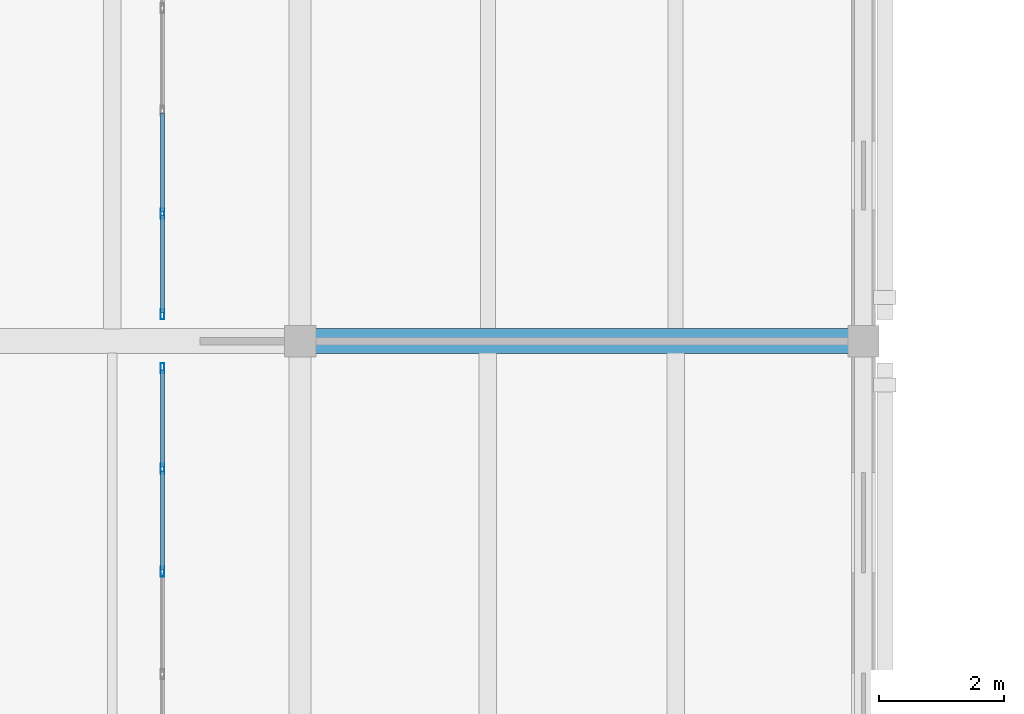
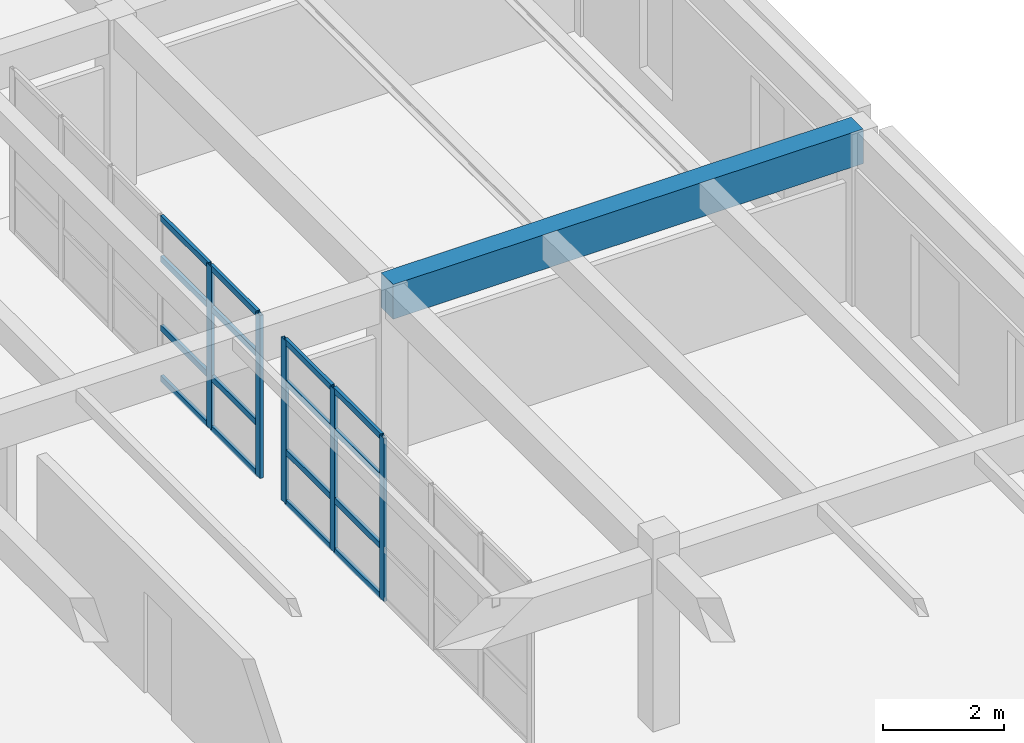
# One storey, part 9 of 156: 21 members, 1 beam, 2 elements without a shape of their own.
"""IFC4 building model written with IfcOpenShell, lengths in metres."""

import ifcopenshell
import ifcopenshell.guid

model = None  # the IFC model being written
_history = None  # IfcOwnerHistory: only IFC2X3 demands one
_inside = {}  # id of a spatial element -> (the spatial element, [elements in it])
_under = {}  # id of a project, library or spatial element -> (it, [spatial elements below it])
_declared = {}  # id of a project -> (the project, [libraries it declares])
_typed = {}  # id of a type object -> (the type object, [elements of that type])
_made_of = {}  # id of a material, layer set ... -> (it, [elements and type objects made of it])


def new_model(schema):
    """Start an empty IFC model of exactly this schema.

    Asked for "IFC4X3", IfcOpenShell would pick the latest addendum, in which some entities
    have other attributes; the version numbers below select the first issue.
    IFC2X3 requires an IfcOwnerHistory on every rooted entity: one is made here for all.
    """
    global model, _history
    if schema == "IFC4X3":
        model = ifcopenshell.file(schema_version=(4, 3, 0, 0))
    else:
        model = ifcopenshell.file(schema=schema)
    _inside.clear()
    _under.clear()
    _declared.clear()
    _typed.clear()
    _made_of.clear()
    _history = None
    if model.schema == "IFC2X3":
        org = make("IfcOrganization", Name="unknown")
        user = make(
            "IfcPersonAndOrganization",
            ThePerson=make("IfcPerson", FamilyName="unknown"),
            TheOrganization=org,
        )
        app = make(
            "IfcApplication",
            ApplicationDeveloper=org,
            Version="unknown",
            ApplicationFullName="unknown",
            ApplicationIdentifier="unknown",
        )
        _history = make(
            "IfcOwnerHistory",
            OwningUser=user,
            OwningApplication=app,
            ChangeAction="ADDED",
            CreationDate=0,
        )
    return model


def make(cls, **values):
    """One entity of the class cls with the attributes given. An attribute that is None is left unset."""
    return model.create_entity(
        cls, **{name: value for name, value in values.items() if value is not None}
    )


def rooted(cls, **values):
    """An entity with a GlobalId (a new one), such as an element, a storey or a relation."""
    return make(cls, GlobalId=ifcopenshell.guid.new(), OwnerHistory=_history, **values)


def si_unit(unit_type, name, prefix=None):
    """IfcSIUnit, for example si_unit("LENGTHUNIT", "METRE", prefix="MILLI")."""
    return make("IfcSIUnit", UnitType=unit_type, Prefix=prefix, Name=name)


def assignment(units):
    """IfcUnitAssignment: the units of a project."""
    return None if units is None else make("IfcUnitAssignment", Units=units)


def point(xyz):
    """IfcCartesianPoint."""
    return None if xyz is None else make("IfcCartesianPoint", Coordinates=xyz)


def direction(xyz):
    """IfcDirection."""
    return None if xyz is None else make("IfcDirection", DirectionRatios=xyz)


def frame(location, z_axis=None, x_axis=None):
    """IfcAxis2Placement3D, a coordinate frame: its origin and axes. An axis left out is left unset."""
    return make(
        "IfcAxis2Placement3D",
        Location=point(location),
        Axis=direction(z_axis),
        RefDirection=direction(x_axis),
    )


def frame_2d(location, x_axis=None):
    """IfcAxis2Placement2D, a coordinate frame in the plane: its origin and x axis."""
    return make(
        "IfcAxis2Placement2D", Location=point(location), RefDirection=direction(x_axis)
    )


def origin():
    """The frame at (0, 0, 0) with its axes left unset."""
    return frame((0.0, 0.0, 0.0))


def origin_2d():
    """The frame at (0, 0) in the plane with its x axis left unset."""
    return frame_2d((0.0, 0.0))


def place(relative_to, where):
    """IfcLocalPlacement: puts the frame where relative to a parent placement (None: the world)."""
    return make(
        "IfcLocalPlacement", PlacementRelTo=relative_to, RelativePlacement=where
    )


def context(
    kind, dimensions, precision=None, world=None, true_north=None, identifier=None
):
    """IfcGeometricRepresentationContext, for example the 3D "Model" context."""
    return make(
        "IfcGeometricRepresentationContext",
        ContextIdentifier=identifier,
        ContextType=kind,
        CoordinateSpaceDimension=dimensions,
        Precision=precision,
        WorldCoordinateSystem=world,
        TrueNorth=true_north,
    )


def subcontext(parent, identifier, kind, view, scale=None):
    """IfcGeometricRepresentationSubContext, for example "Body" below "Model"."""
    return make(
        "IfcGeometricRepresentationSubContext",
        ContextIdentifier=identifier,
        ContextType=kind,
        ParentContext=parent,
        TargetScale=scale,
        TargetView=view,
    )


def project(units=None, contexts=None):
    """IfcProject with its units and contexts."""
    return rooted(
        "IfcProject",
        Name="project",
        RepresentationContexts=contexts,
        UnitsInContext=assignment(units),
    )


def spatial(cls, under=None, at=None, **own):
    """A site, building, storey or space (cls), placed at a placement, below another one or the project."""
    s = rooted(cls, ObjectPlacement=at, **own)
    if under is not None:
        _under.setdefault(under.id(), (under, []))[1].append(s)
    return s


def profile(cls, at=None, kind="AREA", **sizes):
    """A parametric profile (cls). Its sizes go by their IFC names, for example OverallWidth=200.0."""
    return make(cls, ProfileType=kind, Position=at, **sizes)


def rectangle(**sizes):
    """IfcRectangleProfileDef."""
    return profile("IfcRectangleProfileDef", **sizes)


def hollow_rectangle(**sizes):
    """IfcRectangleHollowProfileDef."""
    return profile("IfcRectangleHollowProfileDef", **sizes)


def extrude(swept, where, along, depth):
    """IfcExtrudedAreaSolid: the profile swept, set in the frame where, extruded along a direction by depth."""
    return make(
        "IfcExtrudedAreaSolid",
        SweptArea=swept,
        Position=where,
        ExtrudedDirection=direction(along),
        Depth=depth,
    )


def shape(context_of_items, identifier, shape_type, items):
    """IfcShapeRepresentation: the items that make up one representation, for example the "Body"."""
    return make(
        "IfcShapeRepresentation",
        ContextOfItems=context_of_items,
        RepresentationIdentifier=identifier,
        RepresentationType=shape_type,
        Items=items,
    )


def material(Name=None, Category=None):
    """IfcMaterial."""
    return make("IfcMaterial", Name=Name, Category=Category)


def layer(
    of_material, thickness, ventilated=None, Name=None, Category=None, Priority=None
):
    """IfcMaterialLayer: one layer of a wall or slab, of a material (None: an air gap)."""
    return make(
        "IfcMaterialLayer",
        Material=of_material,
        LayerThickness=thickness,
        IsVentilated=ventilated,
        Name=Name,
        Category=Category,
        Priority=Priority,
    )


def layer_set(layers, Name=None):
    """IfcMaterialLayerSet."""
    return make("IfcMaterialLayerSet", MaterialLayers=layers, LayerSetName=Name)


def material_profile(
    of_material, cross_section, Name=None, Category=None, Priority=None
):
    """IfcMaterialProfile: a cross section and its material."""
    return make(
        "IfcMaterialProfile",
        Name=Name,
        Material=of_material,
        Profile=cross_section,
        Priority=Priority,
        Category=Category,
    )


def profile_set(profiles, Name=None, composite=None):
    """IfcMaterialProfileSet."""
    return make(
        "IfcMaterialProfileSet",
        Name=Name,
        MaterialProfiles=profiles,
        CompositeProfile=composite,
    )


def made_of(thing, what):
    """Note that an element or type object is made of a material, layer set ...; save() writes the relation."""
    if what is not None:
        _made_of.setdefault(what.id(), (what, []))[1].append(thing)
    return thing


def type_object(cls, material=None, **own):
    """A type object (cls), such as IfcWallType, which elements share."""
    return made_of(rooted(cls, **own), material)


def element(
    cls,
    number,
    at=None,
    inside=None,
    cuts=None,
    type_object=None,
    material=None,
    context=None,
    identifier="Body",
    shape_type=None,
    held_by="IfcProductDefinitionShape",
    body=None,
    shapes=None,
    **own,
):
    """One element of the class cls, such as IfcWall. Its Tag is "e" and its number.

    at: its placement. inside: the storey or other place that contains it. cuts: it is an
    opening in that element (IfcRelVoidsElement). A single representation is given by context,
    identifier, shape_type and body (its items); several are given by shapes. held_by: the class
    of the entity that holds the representations. save() writes the other relations.
    """
    e = rooted(cls, Tag="e%d" % number, ObjectPlacement=at, **own)
    if body is not None:
        shapes = [shape(context, identifier, shape_type, body)]
    if shapes is not None:
        e.Representation = make(held_by, Representations=shapes)
    if inside is not None:
        _inside.setdefault(inside.id(), (inside, []))[1].append(e)
    if cuts is not None:
        rooted(
            "IfcRelVoidsElement", RelatingBuildingElement=cuts, RelatedOpeningElement=e
        )
    if type_object is not None:
        _typed.setdefault(type_object.id(), (type_object, []))[1].append(e)
    return made_of(e, material)


def aggregate(whole, parts):
    """IfcRelAggregates: a whole, such as a stair, and the parts it consists of."""
    return rooted("IfcRelAggregates", RelatingObject=whole, RelatedObjects=parts)


def save(model, path):
    """Write the relations noted so far, then the file.

    IfcRelAggregates (storeys below a building ...), IfcRelContainedInSpatialStructure (elements
    in a storey), IfcRelDefinesByType, IfcRelAssociatesMaterial and IfcRelDeclares: one each for
    every whole, place, type object, material and project.
    """
    for whole, parts in _under.values():
        aggregate(whole, parts)
    for where, things in _inside.values():
        rooted(
            "IfcRelContainedInSpatialStructure",
            RelatedElements=things,
            RelatingStructure=where,
        )
    for kind, things in _typed.values():
        rooted("IfcRelDefinesByType", RelatedObjects=things, RelatingType=kind)
    for what, things in _made_of.values():
        rooted("IfcRelAssociatesMaterial", RelatedObjects=things, RelatingMaterial=what)
    for by, libraries in _declared.values():
        rooted("IfcRelDeclares", RelatingContext=by, RelatedDefinitions=libraries)
    model.write(path)


model = new_model("IFC4")

# Units and contexts
model_context = context("Model", 3, precision=1e-05, world=origin(), true_north=direction((0.0, 1.0)))
body_context = subcontext(model_context, "Body", "Model", "MODEL_VIEW")
ifc_project = project(units=[si_unit("LENGTHUNIT", "METRE"), si_unit("AREAUNIT", "SQUARE_METRE"), si_unit("VOLUMEUNIT", "CUBIC_METRE"), si_unit("PLANEANGLEUNIT", "RADIAN"), si_unit("MASSUNIT", "GRAM", prefix="KILO")], contexts=[model_context])

# Site, building, storey
site_placement = place(None, origin())
site = spatial("IfcSite", under=ifc_project, at=site_placement, CompositionType="ELEMENT")
building_placement = place(site_placement, origin())
building = spatial("IfcBuilding", under=site, at=building_placement, Name="Ornek Quay Market", CompositionType="ELEMENT")
storey_placement = place(building_placement, frame((0.0, 0.0, 4.5)))
storey = spatial("IfcBuildingStorey", under=building, at=storey_placement, Name="L01", CompositionType="ELEMENT", Elevation=4.5)

# Beam
ifc_material_1 = material(Name="Concrete C35/45", Category="concrete")
ifc_material_profile_1 = material_profile(ifc_material_1, rectangle(XDim=0.39990234375, YDim=0.699951171875, at=origin_2d()), Name="RC 400x700", Category="concrete")
ifc_profile_set_1 = profile_set([ifc_material_profile_1], Name="Concrete C35/45")
beam_type = type_object("IfcBeamType", Name="BM-WW-400x700", PredefinedType="BEAM", material=ifc_profile_set_1)
beam_placement = place(storey_placement, frame((18.0, 38.0, 3.1298828125), z_axis=(1.0, 0.0, 0.0), x_axis=(0.0, 1.0, 0.0)))
element("IfcBeam", 1, at=beam_placement, inside=storey, type_object=beam_type, Name="Primary beam B-WW1-053", PredefinedType="BEAM", context=body_context, shape_type="SweptSolid", body=[
    extrude(rectangle(XDim=0.39990234375, YDim=0.699951171875, at=origin_2d()), origin(), (0.0, 0.0, 1.0), 9.0),
])

# Curtain wall, members
ifc_material_2 = material(Name="Anodised bronze aluminium and triple low-e glass", Category="aluminium")
ifc_layer = layer(ifc_material_2, 0.179931640625, Name="Anodised bronze aluminium and triple low-e glass", Category="aluminium")
ifc_layer_set = layer_set([ifc_layer], Name="Anodised bronze aluminium and triple low-e glass")
curtain_wall_type = type_object("IfcCurtainWallType", Name="CW-CONC-MOD1500", PredefinedType="USERDEFINED", material=ifc_layer_set)
curtain_wall_1_placement = place(storey_placement, origin())
curtain_wall_1 = element("IfcCurtainWall", 2, at=curtain_wall_1_placement, inside=storey, type_object=curtain_wall_type, Name="Curtain wall CW-133", ObjectType="CURTAIN WALL", PredefinedType="USERDEFINED")
ifc_material_3 = material(Name="Anodised aluminium 6063-T6", Category="aluminium")
ifc_material_profile_2 = material_profile(ifc_material_3, hollow_rectangle(XDim=0.06005859375, YDim=0.159912109375, WallThickness=0.00390625, at=origin_2d()), Name="CW-MUL-60x160", Category="aluminium")
ifc_profile_set_2 = profile_set([ifc_material_profile_2], Name="Anodised aluminium 6063-T6")
member_type_1 = type_object("IfcMemberType", Name="CW-MUL-60x160", PredefinedType="MULLION", material=ifc_profile_set_2)
member_1_placement = place(storey_placement, frame((15.800048828125, 34.320068359375, 0.0), z_axis=(0.0, 0.0, 1.0), x_axis=(-1.0, 0.0, 0.0)))
member_1 = element("IfcMember", 3, at=member_1_placement, type_object=member_type_1, Name="CW-133 mullion 4", PredefinedType="MULLION", context=body_context, shape_type="SweptSolid", body=[
    extrude(hollow_rectangle(XDim=0.06005859375, YDim=0.159912109375, WallThickness=0.00390625, at=origin_2d()), origin(), (0.0, 0.0, 1.0), 3.300048828125),
])
member_2_placement = place(storey_placement, frame((15.800048828125, 35.9599609375, 0.0), z_axis=(0.0, 0.0, 1.0), x_axis=(-1.0, 0.0, 0.0)))
member_2 = element("IfcMember", 4, at=member_2_placement, type_object=member_type_1, Name="CW-133 mullion 5", PredefinedType="MULLION", context=body_context, shape_type="SweptSolid", body=[
    extrude(hollow_rectangle(XDim=0.06005859375, YDim=0.159912109375, WallThickness=0.00390625, at=origin_2d()), origin(), (0.0, 0.0, 1.0), 3.300048828125),
])
member_3_placement = place(storey_placement, frame((15.800048828125, 37.570068359375, 0.0), z_axis=(0.0, 0.0, 1.0), x_axis=(-1.0, 0.0, 0.0)))
member_3 = element("IfcMember", 5, at=member_3_placement, type_object=member_type_1, Name="CW-133 mullion 6", PredefinedType="MULLION", context=body_context, shape_type="SweptSolid", body=[
    extrude(hollow_rectangle(XDim=0.06005859375, YDim=0.159912109375, WallThickness=0.00390625, at=origin_2d()), origin(), (0.0, 0.0, 1.0), 3.300048828125),
])

curtain_wall_2_placement = place(storey_placement, origin())
curtain_wall_2 = element("IfcCurtainWall", 6, at=curtain_wall_2_placement, inside=storey, type_object=curtain_wall_type, Name="Curtain wall CW-135", ObjectType="CURTAIN WALL", PredefinedType="USERDEFINED")
member_4_placement = place(storey_placement, frame((15.800048828125, 38.429931640625, 0.0), z_axis=(0.0, 0.0, 1.0), x_axis=(-1.0, 0.0, 0.0)))
member_4 = element("IfcMember", 7, at=member_4_placement, type_object=member_type_1, Name="CW-135 mullion 1", PredefinedType="MULLION", context=body_context, shape_type="SweptSolid", body=[
    extrude(hollow_rectangle(XDim=0.06005859375, YDim=0.159912109375, WallThickness=0.00390625, at=origin_2d()), origin(), (0.0, 0.0, 1.0), 3.300048828125),
])
member_5_placement = place(storey_placement, frame((15.800048828125, 40.0400390625, 0.0), z_axis=(0.0, 0.0, 1.0), x_axis=(-1.0, 0.0, 0.0)))
member_5 = element("IfcMember", 8, at=member_5_placement, type_object=member_type_1, Name="CW-135 mullion 2", PredefinedType="MULLION", context=body_context, shape_type="SweptSolid", body=[
    extrude(hollow_rectangle(XDim=0.06005859375, YDim=0.159912109375, WallThickness=0.00390625, at=origin_2d()), origin(), (0.0, 0.0, 1.0), 3.300048828125),
])

# Member
ifc_material_profile_3 = material_profile(ifc_material_3, hollow_rectangle(XDim=0.06005859375, YDim=0.1201171875, WallThickness=0.00390625, at=origin_2d()), Name="CW-TRN-60x120", Category="aluminium")
ifc_profile_set_3 = profile_set([ifc_material_profile_3], Name="Anodised aluminium 6063-T6")
member_type_2 = type_object("IfcMemberType", Name="CW-TRN-60x120", PredefinedType="USERDEFINED", material=ifc_profile_set_3)
member_6_placement = place(storey_placement, frame((15.800048828125, 34.35009765625, 0.030029296875), z_axis=(0.0, 1.0, 0.0), x_axis=(-1.0, 0.0, 0.0)))
member_6 = element("IfcMember", 9, at=member_6_placement, type_object=member_type_2, Name="CW-133 transom 4.1", ObjectType="TRANSOM", PredefinedType="USERDEFINED", context=body_context, shape_type="SweptSolid", body=[
    extrude(hollow_rectangle(XDim=0.06005859375, YDim=0.1201171875, WallThickness=0.00390625, at=origin_2d()), origin(), (0.0, 0.0, 1.0), 1.579833984375),
])

member_7_placement = place(storey_placement, frame((15.800048828125, 34.35009765625, 1.050048828125), z_axis=(0.0, 1.0, 0.0), x_axis=(-1.0, 0.0, 0.0)))
member_7 = element("IfcMember", 10, at=member_7_placement, type_object=member_type_2, Name="CW-133 transom 4.2", ObjectType="TRANSOM", PredefinedType="USERDEFINED", context=body_context, shape_type="SweptSolid", body=[
    extrude(hollow_rectangle(XDim=0.06005859375, YDim=0.1201171875, WallThickness=0.00390625, at=origin_2d()), origin(), (0.0, 0.0, 1.0), 1.579833984375),
])

member_8_placement = place(storey_placement, frame((15.800048828125, 34.35009765625, 2.449951171875), z_axis=(0.0, 1.0, 0.0), x_axis=(-1.0, 0.0, 0.0)))
member_8 = element("IfcMember", 11, at=member_8_placement, type_object=member_type_2, Name="CW-133 transom 4.3", ObjectType="TRANSOM", PredefinedType="USERDEFINED", context=body_context, shape_type="SweptSolid", body=[
    extrude(hollow_rectangle(XDim=0.06005859375, YDim=0.1201171875, WallThickness=0.00390625, at=origin_2d()), origin(), (0.0, 0.0, 1.0), 1.579833984375),
])

member_9_placement = place(storey_placement, frame((15.800048828125, 34.35009765625, 3.27001953125), z_axis=(0.0, 1.0, 0.0), x_axis=(-1.0, 0.0, 0.0)))
member_9 = element("IfcMember", 12, at=member_9_placement, type_object=member_type_2, Name="CW-133 transom 4.4", ObjectType="TRANSOM", PredefinedType="USERDEFINED", context=body_context, shape_type="SweptSolid", body=[
    extrude(hollow_rectangle(XDim=0.06005859375, YDim=0.1201171875, WallThickness=0.00390625, at=origin_2d()), origin(), (0.0, 0.0, 1.0), 1.579833984375),
])

member_10_placement = place(storey_placement, frame((15.800048828125, 35.989990234375, 0.030029296875), z_axis=(0.0, 1.0, 0.0), x_axis=(-1.0, 0.0, 0.0)))
member_10 = element("IfcMember", 13, at=member_10_placement, type_object=member_type_2, Name="CW-133 transom 5.1", ObjectType="TRANSOM", PredefinedType="USERDEFINED", context=body_context, shape_type="SweptSolid", body=[
    extrude(hollow_rectangle(XDim=0.06005859375, YDim=0.1201171875, WallThickness=0.00390625, at=origin_2d()), origin(), (0.0, 0.0, 1.0), 1.550048828125),
])

member_11_placement = place(storey_placement, frame((15.800048828125, 35.989990234375, 1.050048828125), z_axis=(0.0, 1.0, 0.0), x_axis=(-1.0, 0.0, 0.0)))
member_11 = element("IfcMember", 14, at=member_11_placement, type_object=member_type_2, Name="CW-133 transom 5.2", ObjectType="TRANSOM", PredefinedType="USERDEFINED", context=body_context, shape_type="SweptSolid", body=[
    extrude(hollow_rectangle(XDim=0.06005859375, YDim=0.1201171875, WallThickness=0.00390625, at=origin_2d()), origin(), (0.0, 0.0, 1.0), 1.550048828125),
])

member_12_placement = place(storey_placement, frame((15.800048828125, 35.989990234375, 2.449951171875), z_axis=(0.0, 1.0, 0.0), x_axis=(-1.0, 0.0, 0.0)))
member_12 = element("IfcMember", 15, at=member_12_placement, type_object=member_type_2, Name="CW-133 transom 5.3", ObjectType="TRANSOM", PredefinedType="USERDEFINED", context=body_context, shape_type="SweptSolid", body=[
    extrude(hollow_rectangle(XDim=0.06005859375, YDim=0.1201171875, WallThickness=0.00390625, at=origin_2d()), origin(), (0.0, 0.0, 1.0), 1.550048828125),
])

member_13_placement = place(storey_placement, frame((15.800048828125, 35.989990234375, 3.27001953125), z_axis=(0.0, 1.0, 0.0), x_axis=(-1.0, 0.0, 0.0)))
member_13 = element("IfcMember", 16, at=member_13_placement, type_object=member_type_2, Name="CW-133 transom 5.4", ObjectType="TRANSOM", PredefinedType="USERDEFINED", context=body_context, shape_type="SweptSolid", body=[
    extrude(hollow_rectangle(XDim=0.06005859375, YDim=0.1201171875, WallThickness=0.00390625, at=origin_2d()), origin(), (0.0, 0.0, 1.0), 1.550048828125),
])

aggregate(curtain_wall_1, [member_1, member_2, member_3, member_6, member_7, member_8, member_9, member_10, member_11, member_12, member_13])

member_14_placement = place(storey_placement, frame((15.800048828125, 38.4599609375, 0.030029296875), z_axis=(0.0, 1.0, 0.0), x_axis=(-1.0, 0.0, 0.0)))
member_14 = element("IfcMember", 17, at=member_14_placement, type_object=member_type_2, Name="CW-135 transom 1.1", ObjectType="TRANSOM", PredefinedType="USERDEFINED", context=body_context, shape_type="SweptSolid", body=[
    extrude(hollow_rectangle(XDim=0.06005859375, YDim=0.1201171875, WallThickness=0.00390625, at=origin_2d()), origin(), (0.0, 0.0, 1.0), 1.550048828125),
])

member_15_placement = place(storey_placement, frame((15.800048828125, 38.4599609375, 1.050048828125), z_axis=(0.0, 1.0, 0.0), x_axis=(-1.0, 0.0, 0.0)))
member_15 = element("IfcMember", 18, at=member_15_placement, type_object=member_type_2, Name="CW-135 transom 1.2", ObjectType="TRANSOM", PredefinedType="USERDEFINED", context=body_context, shape_type="SweptSolid", body=[
    extrude(hollow_rectangle(XDim=0.06005859375, YDim=0.1201171875, WallThickness=0.00390625, at=origin_2d()), origin(), (0.0, 0.0, 1.0), 1.550048828125),
])

member_16_placement = place(storey_placement, frame((15.800048828125, 38.4599609375, 2.449951171875), z_axis=(0.0, 1.0, 0.0), x_axis=(-1.0, 0.0, 0.0)))
member_16 = element("IfcMember", 19, at=member_16_placement, type_object=member_type_2, Name="CW-135 transom 1.3", ObjectType="TRANSOM", PredefinedType="USERDEFINED", context=body_context, shape_type="SweptSolid", body=[
    extrude(hollow_rectangle(XDim=0.06005859375, YDim=0.1201171875, WallThickness=0.00390625, at=origin_2d()), origin(), (0.0, 0.0, 1.0), 1.550048828125),
])

member_17_placement = place(storey_placement, frame((15.800048828125, 38.4599609375, 3.27001953125), z_axis=(0.0, 1.0, 0.0), x_axis=(-1.0, 0.0, 0.0)))
member_17 = element("IfcMember", 20, at=member_17_placement, type_object=member_type_2, Name="CW-135 transom 1.4", ObjectType="TRANSOM", PredefinedType="USERDEFINED", context=body_context, shape_type="SweptSolid", body=[
    extrude(hollow_rectangle(XDim=0.06005859375, YDim=0.1201171875, WallThickness=0.00390625, at=origin_2d()), origin(), (0.0, 0.0, 1.0), 1.550048828125),
])

member_18_placement = place(storey_placement, frame((15.800048828125, 40.070068359375, 0.030029296875), z_axis=(0.0, 1.0, 0.0), x_axis=(-1.0, 0.0, 0.0)))
member_18 = element("IfcMember", 21, at=member_18_placement, type_object=member_type_2, Name="CW-135 transom 2.1", ObjectType="TRANSOM", PredefinedType="USERDEFINED", context=body_context, shape_type="SweptSolid", body=[
    extrude(hollow_rectangle(XDim=0.06005859375, YDim=0.1201171875, WallThickness=0.00390625, at=origin_2d()), origin(), (0.0, 0.0, 1.0), 1.579833984375),
])

member_19_placement = place(storey_placement, frame((15.800048828125, 40.070068359375, 1.050048828125), z_axis=(0.0, 1.0, 0.0), x_axis=(-1.0, 0.0, 0.0)))
member_19 = element("IfcMember", 22, at=member_19_placement, type_object=member_type_2, Name="CW-135 transom 2.2", ObjectType="TRANSOM", PredefinedType="USERDEFINED", context=body_context, shape_type="SweptSolid", body=[
    extrude(hollow_rectangle(XDim=0.06005859375, YDim=0.1201171875, WallThickness=0.00390625, at=origin_2d()), origin(), (0.0, 0.0, 1.0), 1.579833984375),
])

member_20_placement = place(storey_placement, frame((15.800048828125, 40.070068359375, 2.449951171875), z_axis=(0.0, 1.0, 0.0), x_axis=(-1.0, 0.0, 0.0)))
member_20 = element("IfcMember", 23, at=member_20_placement, type_object=member_type_2, Name="CW-135 transom 2.3", ObjectType="TRANSOM", PredefinedType="USERDEFINED", context=body_context, shape_type="SweptSolid", body=[
    extrude(hollow_rectangle(XDim=0.06005859375, YDim=0.1201171875, WallThickness=0.00390625, at=origin_2d()), origin(), (0.0, 0.0, 1.0), 1.579833984375),
])

member_21_placement = place(storey_placement, frame((15.800048828125, 40.070068359375, 3.27001953125), z_axis=(0.0, 1.0, 0.0), x_axis=(-1.0, 0.0, 0.0)))
member_21 = element("IfcMember", 24, at=member_21_placement, type_object=member_type_2, Name="CW-135 transom 2.4", ObjectType="TRANSOM", PredefinedType="USERDEFINED", context=body_context, shape_type="SweptSolid", body=[
    extrude(hollow_rectangle(XDim=0.06005859375, YDim=0.1201171875, WallThickness=0.00390625, at=origin_2d()), origin(), (0.0, 0.0, 1.0), 1.579833984375),
])

aggregate(curtain_wall_2, [member_4, member_5, member_14, member_15, member_16, member_17, member_18, member_19, member_20, member_21])

save(model, "model.ifc")
